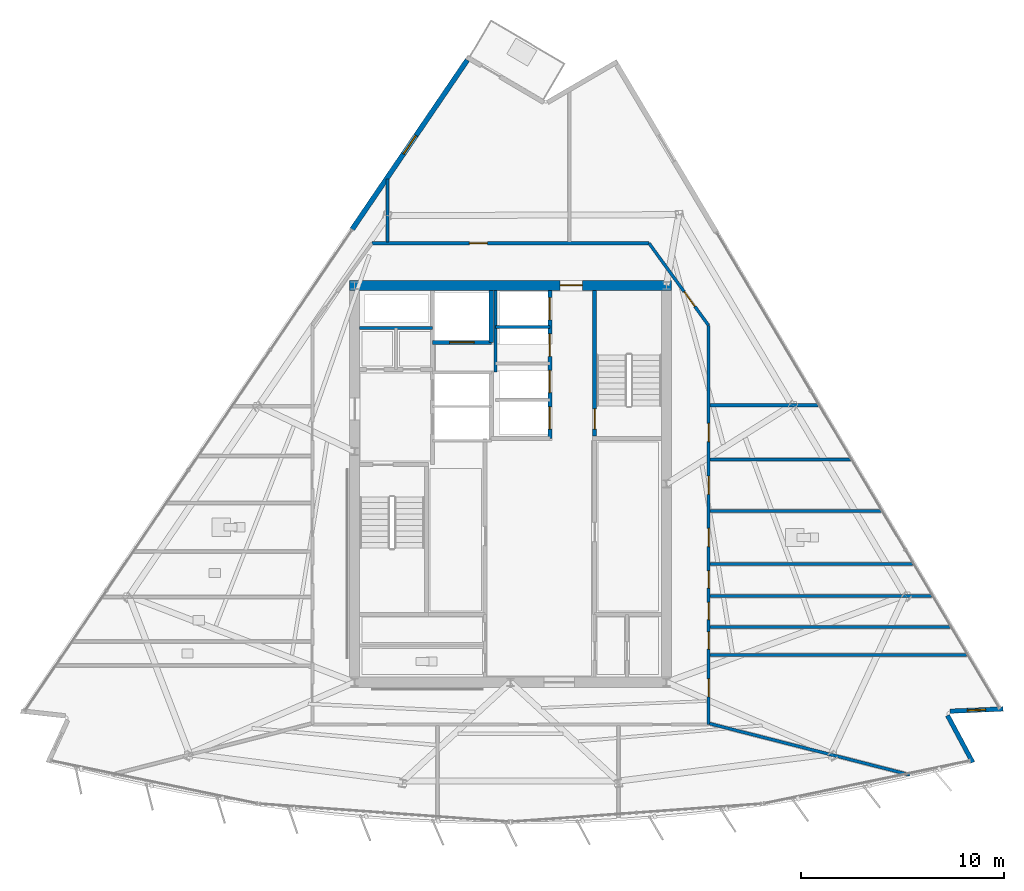
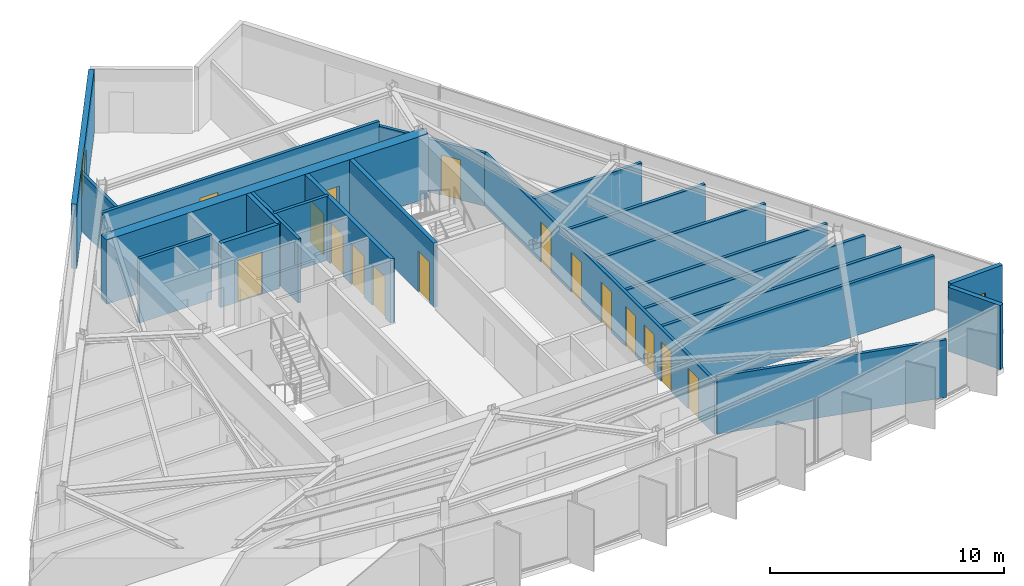
# One storey, part 8 of 13: 23 walls, 16 doors, 2 windows, 18 openings.
"""IFC4 building model written with IfcOpenShell, lengths in metres."""

from ifc_helpers import new_model, si_unit, direction, frame, frame_2d, origin, place, context, subcontext, project, spatial, rectangle, extrude, material, layer, layer_set, type_object, element, fill, save


model = new_model("IFC4")

# Units and contexts
model_context = context("Model", 3, precision=1e-05, world=origin(), true_north=direction((0.0, 1.0)))
body_context = subcontext(model_context, "Body", "Model", "MODEL_VIEW")
ifc_project = project(units=[si_unit("LENGTHUNIT", "METRE"), si_unit("AREAUNIT", "SQUARE_METRE"), si_unit("VOLUMEUNIT", "CUBIC_METRE"), si_unit("PLANEANGLEUNIT", "RADIAN"), si_unit("MASSUNIT", "GRAM", prefix="KILO")], contexts=[model_context])

# Site, building, storey
site_placement = place(None, origin())
site = spatial("IfcSite", under=ifc_project, at=site_placement, CompositionType="ELEMENT")
building_placement = place(site_placement, origin())
building = spatial("IfcBuilding", under=site, at=building_placement, Name="Savorim Split Tower", CompositionType="ELEMENT")
storey_placement = place(building_placement, frame((0.0, 0.0, 250.800048828125)))
storey = spatial("IfcBuildingStorey", under=building, at=storey_placement, Name="L66", CompositionType="ELEMENT", Elevation=250.800048828125)

# Wall, opening, door
ifc_material_1 = material(Name="Concrete C60/75", Category="concrete")
ifc_layer_1 = layer(ifc_material_1, 0.5)
ifc_layer_set_1 = layer_set([ifc_layer_1], Name="WAL-COR-SH500")
wall_type_1 = type_object("IfcWallType", Name="WAL-COR-SH500", PredefinedType="SHEAR", material=ifc_layer_set_1)
wall_1_placement = place(storey_placement, frame((7.949951171875, 10.199951171875, 0.0), z_axis=(0.0, 0.0, 1.0), x_axis=(-1.0, 0.0, 0.0)))
wall_1 = element("IfcWall", 1, at=wall_1_placement, inside=storey, type_object=wall_type_1, Name="L66 Offset Core North Shear Wall", PredefinedType="SHEAR", context=body_context, shape_type="SweptSolid", body=[
    extrude(rectangle(XDim=15.89990234375, YDim=0.5, at=frame_2d((7.949951171875, 0.0))), origin(), (0.0, 0.0, 1.0), 3.349853515625),
])
opening_1_placement = place(wall_1_placement, frame((4.39990234375, 0.0, 0.0)))
opening_1 = element("IfcOpeningElement", 2, at=opening_1_placement, cuts=wall_1, Name="Opening DI-03", PredefinedType="OPENING", context=body_context, shape_type="SweptSolid", body=[
    extrude(rectangle(XDim=1.10009765625, YDim=2.14990234375, at=frame_2d((0.550048828125, 1.074951171875))), frame((0.0, 0.260009765625, 0.0), z_axis=(0.0, -1.0, 0.0), x_axis=(1.0, 0.0, 0.0)), (0.0, 0.0, 1.0), 0.52001953125),
])
ifc_material_2 = material(Name="Timber Fire Door Leaf", Category="wood")
door_type_1 = type_object("IfcDoorType", Name="DOR-FIR-1100", OperationType="NOTDEFINED", PredefinedType="DOOR", material=ifc_material_2)
door_1_placement = place(opening_1_placement, origin())
door_1 = element("IfcDoor", 3, at=door_1_placement, inside=storey, type_object=door_type_1, Name="DOR-L66-COR-NLOB - L66 North Corridor Lobby Fire Door", OperationType="SINGLE_SWING_LEFT", OverallHeight=2.14990234375, OverallWidth=1.10009765625, PredefinedType="DOOR", context=body_context, shape_type="SweptSolid", body=[
    extrude(rectangle(XDim=1.10009765625, YDim=2.14990234375, at=frame_2d((0.550048828125, 1.074951171875))), frame((0.0, 0.02490234375, 0.0), z_axis=(0.0, -1.0, 0.0), x_axis=(1.0, 0.0, 0.0)), (0.0, 0.0, 1.0), 0.050048828125),
])
fill(opening_1, door_1)

# Wall
ifc_material_3 = material(Name="Precast concrete C40/50", Category="concrete")
ifc_layer_2 = layer(ifc_material_3, 0.219970703125)
ifc_layer_set_2 = layer_set([ifc_layer_2], Name="WAL-EXT-CRN220")
wall_type_2 = type_object("IfcWallType", Name="WAL-EXT-CRN220", PredefinedType="SOLIDWALL", material=ifc_layer_set_2)
wall_2_placement = place(storey_placement, frame((21.58056640625, -11.03955078125, 0.0), z_axis=(0.0, 0.0, 1.0), x_axis=(0.472791303324, -0.881174434208, 0.0)))
element("IfcWall", 4, at=wall_2_placement, inside=storey, type_object=wall_type_2, Name="L66 Notched Corner Facade Wall SE1", PredefinedType="SOLIDWALL", context=body_context, shape_type="SweptSolid", body=[
    extrude(rectangle(XDim=2.626953125, YDim=0.219970703125, at=frame_2d((1.3134765625, 0.0))), origin(), (0.0, 0.0, 1.0), 3.349853515625),
])

# Wall, opening, window
wall_3_placement = place(storey_placement, frame((24.32421875, -10.71435546875, 0.0), z_axis=(0.0, 0.0, 1.0), x_axis=(-0.999095924753, -0.042512740932, 0.0)))
wall_3 = element("IfcWall", 5, at=wall_3_placement, inside=storey, type_object=wall_type_2, Name="L66 Notched Corner Facade Wall SE", PredefinedType="SOLIDWALL", context=body_context, shape_type="SweptSolid", body=[
    extrude(rectangle(XDim=2.62451171875, YDim=0.219970703125, at=frame_2d((1.312255859375, 0.0))), origin(), (0.0, 0.0, 1.0), 3.349853515625),
])
opening_2_placement = place(wall_3_placement, frame((0.8623046875, 0.0, 0.6201171875)))
opening_2 = element("IfcOpeningElement", 6, at=opening_2_placement, cuts=wall_3, Name="Opening WN-10", PredefinedType="OPENING", context=body_context, shape_type="SweptSolid", body=[
    extrude(rectangle(XDim=0.89990234375, YDim=1.60009765625, at=frame_2d((0.449951171875, 0.800048828125))), frame((0.0, 0.119873046875, 0.0), z_axis=(0.0, -1.0, 0.0), x_axis=(1.0, 0.0, 0.0)), (0.0, 0.0, 1.0), 0.239990234375),
])
ifc_material_4 = material(Name="Low-E Operable Double Glazing", Category="glass")
window_type_1 = type_object("IfcWindowType", Name="WIN-TWR-900x1600", PartitioningType="SINGLE_PANEL", PredefinedType="WINDOW", material=ifc_material_4)
window_1_placement = place(opening_2_placement, origin())
window_1 = element("IfcWindow", 7, at=window_1_placement, inside=storey, type_object=window_type_1, Name="L66 Operable Corner Window SE", OverallHeight=1.60009765625, OverallWidth=0.89990234375, PartitioningType="SINGLE_PANEL", PredefinedType="WINDOW", context=body_context, shape_type="SweptSolid", body=[
    extrude(rectangle(XDim=0.89990234375, YDim=1.60009765625, at=frame_2d((0.449951171875, 0.800048828125))), frame((0.0, 0.030029296875, 0.0), z_axis=(0.0, -1.0, 0.0), x_axis=(1.0, 0.0, 0.0)), (0.0, 0.0, 1.0), 0.06005859375),
])
fill(opening_2, window_1)

ifc_layer_3 = layer(ifc_material_3, 0.25)
ifc_layer_set_3 = layer_set([ifc_layer_3], Name="WAL-EXT-SPN250")
wall_type_3 = type_object("IfcWallType", Name="WAL-EXT-SPN250", PredefinedType="SOLIDWALL", material=ifc_layer_set_3)
wall_4_placement = place(storey_placement, frame((-7.81689453125, 12.970947265625, 0.0), z_axis=(0.0, 0.0, 1.0), x_axis=(0.562474530687, 0.826814611826, 0.0)))
wall_4 = element("IfcWall", 8, at=wall_4_placement, inside=storey, type_object=wall_type_3, Name="L66 West Operable Window Pier", PredefinedType="SOLIDWALL", context=body_context, shape_type="SweptSolid", body=[
    extrude(rectangle(XDim=10.106689453125, YDim=0.25, at=frame_2d((5.05322265625, 0.0))), origin(), (0.0, 0.0, 1.0), 3.349853515625),
])
opening_3_placement = place(wall_4_placement, frame((4.50341796875, 0.0, 0.6201171875)))
opening_3 = element("IfcOpeningElement", 9, at=opening_3_placement, cuts=wall_4, Name="Opening WN-09", PredefinedType="OPENING", context=body_context, shape_type="SweptSolid", body=[
    extrude(rectangle(XDim=1.10009765625, YDim=1.800048828125, at=frame_2d((0.550048828125, 0.89990234375))), frame((0.0, 0.135009765625, 0.0), z_axis=(0.0, -1.0, 0.0), x_axis=(1.0, 0.0, 0.0)), (0.0, 0.0, 1.0), 0.27001953125),
])
window_type_2 = type_object("IfcWindowType", Name="WIN-TWR-1100x1800", PartitioningType="SINGLE_PANEL", PredefinedType="WINDOW", material=ifc_material_4)
window_2_placement = place(opening_3_placement, origin())
window_2 = element("IfcWindow", 10, at=window_2_placement, inside=storey, type_object=window_type_2, Name="L66 West Operable Ventilation Window", OverallHeight=1.800048828125, OverallWidth=1.10009765625, PartitioningType="SINGLE_PANEL", PredefinedType="WINDOW", context=body_context, shape_type="SweptSolid", body=[
    extrude(rectangle(XDim=1.10009765625, YDim=1.800048828125, at=frame_2d((0.550048828125, 0.89990234375))), frame((0.0, 0.030029296875, 0.0), z_axis=(0.0, -1.0, 0.0), x_axis=(1.0, 0.0, 0.0)), (0.0, 0.0, 1.0), 0.06005859375),
])
fill(opening_3, window_2)

# Wall, opening, door
ifc_material_5 = material(Name="Concrete C50/60", Category="concrete")
ifc_layer_4 = layer(ifc_material_5, 0.199951171875)
ifc_layer_set_4 = layer_set([ifc_layer_4], Name="WAL-INT-RC200")
wall_type_4 = type_object("IfcWallType", Name="WAL-INT-RC200", PredefinedType="SOLIDWALL", material=ifc_layer_set_4)
wall_5_placement = place(storey_placement, frame((4.14990234375, 2.75, 0.0), z_axis=(0.0, 0.0, 1.0), x_axis=(0.0, 1.0, 0.0)))
wall_5 = element("IfcWall", 11, at=wall_5_placement, inside=storey, type_object=wall_type_4, Name="L66 Structural Shaft Wall W-L66-CR07", PredefinedType="SOLIDWALL", context=body_context, shape_type="SweptSolid", body=[
    extrude(rectangle(XDim=7.199951171875, YDim=0.199951171875, at=frame_2d((3.60009765625, 0.0))), origin(), (0.0, 0.0, 1.0), 3.349853515625),
])
opening_4_placement = place(wall_5_placement, frame((0.35009765625, 0.0, 0.0)))
opening_4 = element("IfcOpeningElement", 12, at=opening_4_placement, cuts=wall_5, Name="Opening DI-04", PredefinedType="OPENING", context=body_context, shape_type="SweptSolid", body=[
    extrude(rectangle(XDim=1.0, YDim=2.14990234375, at=frame_2d((0.5, 1.074951171875))), frame((0.0, 0.10986328125, 0.0), z_axis=(0.0, -1.0, 0.0), x_axis=(1.0, 0.0, 0.0)), (0.0, 0.0, 1.0), 0.219970703125),
])
door_type_2 = type_object("IfcDoorType", Name="DOR-FIR-1000", OperationType="NOTDEFINED", PredefinedType="DOOR", material=ifc_material_2)
door_2_placement = place(opening_4_placement, origin())
door_2 = element("IfcDoor", 13, at=door_2_placement, inside=storey, type_object=door_type_2, Name="DR-L66-ST2 - L66 Stair ST-2 Enclosure Door", OperationType="SINGLE_SWING_RIGHT", OverallHeight=2.14990234375, OverallWidth=1.0, PredefinedType="DOOR", context=body_context, shape_type="SweptSolid", body=[
    extrude(rectangle(XDim=1.0, YDim=2.14990234375, at=frame_2d((0.5, 1.074951171875))), frame((0.0, 0.02490234375, 0.0), z_axis=(0.0, -1.0, 0.0), x_axis=(1.0, 0.0, 0.0)), (0.0, 0.0, 1.0), 0.050048828125),
])
fill(opening_4, door_2)

wall_6_placement = place(storey_placement, frame((-3.85009765625, 7.3798828125, 0.0), z_axis=(0.0, 0.0, 1.0), x_axis=(1.0, 0.0, 0.0)))
wall_6 = element("IfcWall", 14, at=wall_6_placement, inside=storey, type_object=wall_type_4, Name="L66 Partition W-L66-SVLS", PredefinedType="SOLIDWALL", context=body_context, shape_type="SweptSolid", body=[
    extrude(rectangle(XDim=2.900146484375, YDim=0.199951171875, at=frame_2d((1.4501953125, 0.0))), origin(), (0.0, 0.0, 1.0), 3.349853515625),
])
opening_5_placement = place(wall_6_placement, frame((0.85009765625, 0.0, 0.0)))
opening_5 = element("IfcOpeningElement", 15, at=opening_5_placement, cuts=wall_6, Name="Opening LD-SV", PredefinedType="OPENING", context=body_context, shape_type="SweptSolid", body=[
    extrude(rectangle(XDim=1.199951171875, YDim=2.199951171875, at=frame_2d((0.60009765625, 1.10009765625))), frame((0.0, 0.10986328125, 0.0), z_axis=(0.0, -1.0, 0.0), x_axis=(1.0, 0.0, 0.0)), (0.0, 0.0, 1.0), 0.219970703125),
])
ifc_material_6 = material(Name="Charcoal Anodised Aluminium", Category="aluminium")
door_type_3 = type_object("IfcDoorType", Name="DOR-SLD-SV1200", OperationType="NOTDEFINED", PredefinedType="DOOR", material=ifc_material_6)
door_3_placement = place(opening_5_placement, origin())
door_3 = element("IfcDoor", 16, at=door_3_placement, inside=storey, type_object=door_type_3, Name="DR-L66-LD-SVL1 - L66 Service Lift SVL-1 Sliding Landing Door", OperationType="DOUBLE_DOOR_SLIDING", OverallHeight=2.199951171875, OverallWidth=1.199951171875, PredefinedType="DOOR", context=body_context, shape_type="SweptSolid", body=[
    extrude(rectangle(XDim=1.199951171875, YDim=2.199951171875, at=frame_2d((0.60009765625, 1.10009765625))), frame((0.0, 0.02490234375, 0.0), z_axis=(0.0, -1.0, 0.0), x_axis=(1.0, 0.0, 0.0)), (0.0, 0.0, 1.0), 0.050048828125),
])
fill(opening_5, door_3)

# Wall
wall_7_placement = place(storey_placement, frame((-0.949951171875, 7.3798828125, 0.0), z_axis=(0.0, 0.0, 1.0), x_axis=(0.0, 1.0, 0.0)))
element("IfcWall", 17, at=wall_7_placement, inside=storey, type_object=wall_type_4, Name="L66 Partition W-L66-SVLE", PredefinedType="SOLIDWALL", context=body_context, shape_type="SweptSolid", body=[
    extrude(rectangle(XDim=2.565185546875, YDim=0.199951171875, at=frame_2d((1.28271484375, 0.0))), origin(), (0.0, 0.0, 1.0), 3.349853515625),
])

# Wall, openings, doors
wall_8_placement = place(storey_placement, frame((1.949951171875, 2.64990234375, 0.0), z_axis=(0.0, 0.0, 1.0), x_axis=(0.0, 1.0, 0.0)))
wall_8 = element("IfcWall", 18, at=wall_8_placement, inside=storey, type_object=wall_type_4, Name="L66 Partition W-L66-B3FRONT", PredefinedType="SOLIDWALL", context=body_context, shape_type="SweptSolid", body=[
    extrude(rectangle(XDim=7.295166015625, YDim=0.199951171875, at=frame_2d((3.6474609375, 0.0))), origin(), (0.0, 0.0, 1.0), 3.349853515625),
])
opening_6_placement = place(wall_8_placement, frame((0.449951171875, 0.0, 0.0)))
opening_6 = element("IfcOpeningElement", 19, at=opening_6_placement, cuts=wall_8, Name="Opening LD-03", PredefinedType="OPENING", context=body_context, shape_type="SweptSolid", body=[
    extrude(rectangle(XDim=1.10009765625, YDim=2.14990234375, at=frame_2d((0.550048828125, 1.074951171875))), frame((0.0, 0.10986328125, 0.0), z_axis=(0.0, -1.0, 0.0), x_axis=(1.0, 0.0, 0.0)), (0.0, 0.0, 1.0), 0.219970703125),
])
opening_7_placement = place(wall_8_placement, frame((2.25, 0.0, 0.0)))
opening_7 = element("IfcOpeningElement", 20, at=opening_7_placement, cuts=wall_8, Name="Opening LD-03", PredefinedType="OPENING", context=body_context, shape_type="SweptSolid", body=[
    extrude(rectangle(XDim=1.10009765625, YDim=2.14990234375, at=frame_2d((0.550048828125, 1.074951171875))), frame((0.0, 0.10986328125, 0.0), z_axis=(0.0, -1.0, 0.0), x_axis=(1.0, 0.0, 0.0)), (0.0, 0.0, 1.0), 0.219970703125),
])
opening_8_placement = place(wall_8_placement, frame((4.050048828125, 0.0, 0.0)))
opening_8 = element("IfcOpeningElement", 21, at=opening_8_placement, cuts=wall_8, Name="Opening LD-03", PredefinedType="OPENING", context=body_context, shape_type="SweptSolid", body=[
    extrude(rectangle(XDim=1.10009765625, YDim=2.14990234375, at=frame_2d((0.550048828125, 1.074951171875))), frame((0.0, 0.10986328125, 0.0), z_axis=(0.0, -1.0, 0.0), x_axis=(1.0, 0.0, 0.0)), (0.0, 0.0, 1.0), 0.219970703125),
])
opening_9_placement = place(wall_8_placement, frame((5.85009765625, 0.0, 0.0)))
opening_9 = element("IfcOpeningElement", 22, at=opening_9_placement, cuts=wall_8, Name="Opening LD-03", PredefinedType="OPENING", context=body_context, shape_type="SweptSolid", body=[
    extrude(rectangle(XDim=1.10009765625, YDim=2.14990234375, at=frame_2d((0.550048828125, 1.074951171875))), frame((0.0, 0.10986328125, 0.0), z_axis=(0.0, -1.0, 0.0), x_axis=(1.0, 0.0, 0.0)), (0.0, 0.0, 1.0), 0.219970703125),
])
door_type_4 = type_object("IfcDoorType", Name="DOR-SLD-LDH1100", OperationType="NOTDEFINED", PredefinedType="DOOR", material=ifc_material_6)
door_4_placement = place(opening_6_placement, origin())
door_4 = element("IfcDoor", 23, at=door_4_placement, inside=storey, type_object=door_type_4, Name="DR-L66-LD-PLH1 - L66 Lift PL-H1 Sliding Landing Door", OperationType="DOUBLE_DOOR_SLIDING", OverallHeight=2.14990234375, OverallWidth=1.10009765625, PredefinedType="DOOR", context=body_context, shape_type="SweptSolid", body=[
    extrude(rectangle(XDim=1.10009765625, YDim=2.14990234375, at=frame_2d((0.550048828125, 1.074951171875))), frame((0.0, 0.02490234375, 0.0), z_axis=(0.0, -1.0, 0.0), x_axis=(1.0, 0.0, 0.0)), (0.0, 0.0, 1.0), 0.050048828125),
])
fill(opening_6, door_4)
door_5_placement = place(opening_7_placement, origin())
door_5 = element("IfcDoor", 24, at=door_5_placement, inside=storey, type_object=door_type_4, Name="DR-L66-LD-PLH2 - L66 Lift PL-H2 Sliding Landing Door", OperationType="DOUBLE_DOOR_SLIDING", OverallHeight=2.14990234375, OverallWidth=1.10009765625, PredefinedType="DOOR", context=body_context, shape_type="SweptSolid", body=[
    extrude(rectangle(XDim=1.10009765625, YDim=2.14990234375, at=frame_2d((0.550048828125, 1.074951171875))), frame((0.0, 0.02490234375, 0.0), z_axis=(0.0, -1.0, 0.0), x_axis=(1.0, 0.0, 0.0)), (0.0, 0.0, 1.0), 0.050048828125),
])
fill(opening_7, door_5)
door_6_placement = place(opening_8_placement, origin())
door_6 = element("IfcDoor", 25, at=door_6_placement, inside=storey, type_object=door_type_4, Name="DR-L66-LD-PLH3 - L66 Lift PL-H3 Sliding Landing Door", OperationType="DOUBLE_DOOR_SLIDING", OverallHeight=2.14990234375, OverallWidth=1.10009765625, PredefinedType="DOOR", context=body_context, shape_type="SweptSolid", body=[
    extrude(rectangle(XDim=1.10009765625, YDim=2.14990234375, at=frame_2d((0.550048828125, 1.074951171875))), frame((0.0, 0.02490234375, 0.0), z_axis=(0.0, -1.0, 0.0), x_axis=(1.0, 0.0, 0.0)), (0.0, 0.0, 1.0), 0.050048828125),
])
fill(opening_8, door_6)
door_7_placement = place(opening_9_placement, origin())
door_7 = element("IfcDoor", 26, at=door_7_placement, inside=storey, type_object=door_type_4, Name="DR-L66-LD-PLH4 - L66 Lift PL-H4 Sliding Landing Door", OperationType="DOUBLE_DOOR_SLIDING", OverallHeight=2.14990234375, OverallWidth=1.10009765625, PredefinedType="DOOR", context=body_context, shape_type="SweptSolid", body=[
    extrude(rectangle(XDim=1.10009765625, YDim=2.14990234375, at=frame_2d((0.550048828125, 1.074951171875))), frame((0.0, 0.02490234375, 0.0), z_axis=(0.0, -1.0, 0.0), x_axis=(1.0, 0.0, 0.0)), (0.0, 0.0, 1.0), 0.050048828125),
])
fill(opening_9, door_7)

# Walls
ifc_material_7 = material(Name="Acoustic Gypsum Partition Board")
ifc_layer_5 = layer(ifc_material_7, 0.14990234375)
ifc_layer_set_5 = layer_set([ifc_layer_5], Name="WAL-PAR-150")
wall_type_5 = type_object("IfcWallType", Name="WAL-PAR-150", PredefinedType="PARTITIONING", material=ifc_layer_set_5)
wall_9_placement = place(storey_placement, frame((-7.445068359375, 8.10009765625, 0.0), z_axis=(0.0, 0.0, 1.0), x_axis=(1.0, 0.0, 0.0)))
element("IfcWall", 27, at=wall_9_placement, inside=storey, type_object=wall_type_5, Name="L66 Partition W-L66-CR05", PredefinedType="PARTITIONING", context=body_context, shape_type="SweptSolid", body=[
    extrude(rectangle(XDim=3.594970703125, YDim=0.14990234375, at=frame_2d((1.79736328125, 0.0))), origin(), (0.0, 0.0, 1.0), 3.349853515625),
])
wall_10_placement = place(storey_placement, frame((-0.75, 5.919921875, 0.0), z_axis=(0.0, 0.0, 1.0), x_axis=(0.0, 1.0, 0.0)))
element("IfcWall", 28, at=wall_10_placement, inside=storey, type_object=wall_type_5, Name="L66 Partition W-L66-B3WEST", PredefinedType="PARTITIONING", context=body_context, shape_type="SweptSolid", body=[
    extrude(rectangle(XDim=4.025146484375, YDim=0.14990234375, at=frame_2d((2.0126953125, 0.0))), origin(), (0.0, 0.0, 1.0), 3.349853515625),
])
wall_11_placement = place(storey_placement, frame((-0.75, 8.14990234375, 0.0), z_axis=(0.0, 0.0, 1.0), x_axis=(1.0, 0.0, 0.0)))
element("IfcWall", 29, at=wall_11_placement, inside=storey, type_object=wall_type_5, Name="L66 Partition W-L66-B3DIV3", PredefinedType="PARTITIONING", context=body_context, shape_type="SweptSolid", body=[
    extrude(rectangle(XDim=2.699951171875, YDim=0.14990234375, at=frame_2d((1.35009765625, 0.0))), origin(), (0.0, 0.0, 1.0), 3.349853515625),
])

# Wall, opening, door
wall_12_placement = place(storey_placement, frame((-6.8408203125, 12.280029296875, 0.0), z_axis=(0.0, 0.0, 1.0), x_axis=(1.0, 0.0, 0.0)))
wall_12 = element("IfcWall", 30, at=wall_12_placement, inside=storey, type_object=wall_type_5, Name="L66 Partition W-L66-COR-03", PredefinedType="PARTITIONING", context=body_context, shape_type="SweptSolid", body=[
    extrude(rectangle(XDim=13.681640625, YDim=0.14990234375, at=frame_2d((6.8408203125, 0.0))), origin(), (0.0, 0.0, 1.0), 3.014892578125),
])
opening_10_placement = place(wall_12_placement, frame((4.804931640625, 0.0, 0.0)))
opening_10 = element("IfcOpeningElement", 31, at=opening_10_placement, cuts=wall_12, Name="Opening DI-06", PredefinedType="OPENING", context=body_context, shape_type="SweptSolid", body=[
    extrude(rectangle(XDim=0.89990234375, YDim=2.10009765625, at=frame_2d((0.449951171875, 1.050048828125))), frame((0.0, 0.0849609375, 0.0), z_axis=(0.0, -1.0, 0.0), x_axis=(1.0, 0.0, 0.0)), (0.0, 0.0, 1.0), 0.169921875),
])
door_type_5 = type_object("IfcDoorType", Name="DOR-FIR-900", OperationType="NOTDEFINED", PredefinedType="DOOR", material=ifc_material_2)
door_8_placement = place(opening_10_placement, origin())
door_8 = element("IfcDoor", 32, at=door_8_placement, inside=storey, type_object=door_type_5, Name="DR-L66-RM17 - L66 Co-Working Commons Entry Door", OperationType="SINGLE_SWING_RIGHT", OverallHeight=2.10009765625, OverallWidth=0.89990234375, PredefinedType="DOOR", context=body_context, shape_type="SweptSolid", body=[
    extrude(rectangle(XDim=0.89990234375, YDim=2.10009765625, at=frame_2d((0.449951171875, 1.050048828125))), frame((0.0, 0.02490234375, 0.0), z_axis=(0.0, -1.0, 0.0), x_axis=(1.0, 0.0, 0.0)), (0.0, 0.0, 1.0), 0.050048828125),
])
fill(opening_10, door_8)

wall_13_placement = place(storey_placement, frame((6.8408203125, 12.280029296875, 0.0), z_axis=(0.0, 0.0, 1.0), x_axis=(0.586956386413, -0.809618552436, 0.0)))
wall_13 = element("IfcWall", 33, at=wall_13_placement, inside=storey, type_object=wall_type_5, Name="L66 Partition W-L66-COR-04", PredefinedType="PARTITIONING", context=body_context, shape_type="SweptSolid", body=[
    extrude(rectangle(XDim=5.007568359375, YDim=0.14990234375, at=frame_2d((2.50390625, 0.0))), origin(), (0.0, 0.0, 1.0), 2.77490234375),
])
opening_11_placement = place(wall_13_placement, frame((2.95361328125, 0.0, 0.0)))
opening_11 = element("IfcOpeningElement", 34, at=opening_11_placement, cuts=wall_13, Name="Opening DI-06", PredefinedType="OPENING", context=body_context, shape_type="SweptSolid", body=[
    extrude(rectangle(XDim=0.89990234375, YDim=2.10009765625, at=frame_2d((0.449951171875, 1.050048828125))), frame((0.0, 0.0849609375, 0.0), z_axis=(0.0, -1.0, 0.0), x_axis=(1.0, 0.0, 0.0)), (0.0, 0.0, 1.0), 0.169921875),
])
door_9_placement = place(opening_11_placement, origin())
door_9 = element("IfcDoor", 35, at=door_9_placement, inside=storey, type_object=door_type_5, Name="DR-L66-RM16 - L66 Maker Workshop Entry Door", OperationType="SINGLE_SWING_LEFT", OverallHeight=2.10009765625, OverallWidth=0.89990234375, PredefinedType="DOOR", context=body_context, shape_type="SweptSolid", body=[
    extrude(rectangle(XDim=0.89990234375, YDim=2.10009765625, at=frame_2d((0.449951171875, 1.050048828125))), frame((0.0, 0.02490234375, 0.0), z_axis=(0.0, -1.0, 0.0), x_axis=(1.0, 0.0, 0.0)), (0.0, 0.0, 1.0), 0.050048828125),
])
fill(opening_11, door_9)

# Wall, openings, doors
wall_14_placement = place(storey_placement, frame((9.780029296875, 8.225830078125, 0.0), z_axis=(0.0, 0.0, 1.0), x_axis=(0.0, -1.0, 0.0)))
wall_14 = element("IfcWall", 36, at=wall_14_placement, inside=storey, type_object=wall_type_5, Name="L66 Partition W-L66-COR-05", PredefinedType="PARTITIONING", context=body_context, shape_type="SweptSolid", body=[
    extrude(rectangle(XDim=19.705810546875, YDim=0.14990234375, at=frame_2d((9.85302734375, 0.0))), origin(), (0.0, 0.0, 1.0), 2.77490234375),
])
opening_12_placement = place(wall_14_placement, frame((17.450927734375, 0.0, 0.0)))
opening_12 = element("IfcOpeningElement", 37, at=opening_12_placement, cuts=wall_14, Name="Opening DI-06", PredefinedType="OPENING", context=body_context, shape_type="SweptSolid", body=[
    extrude(rectangle(XDim=0.89990234375, YDim=2.10009765625, at=frame_2d((0.449951171875, 1.050048828125))), frame((0.0, 0.0849609375, 0.0), z_axis=(0.0, -1.0, 0.0), x_axis=(1.0, 0.0, 0.0)), (0.0, 0.0, 1.0), 0.169921875),
])
opening_13_placement = place(wall_14_placement, frame((15.132568359375, 0.0, 0.0)))
opening_13 = element("IfcOpeningElement", 38, at=opening_13_placement, cuts=wall_14, Name="Opening DI-13", PredefinedType="OPENING", context=body_context, shape_type="SweptSolid", body=[
    extrude(rectangle(XDim=0.85009765625, YDim=2.10009765625, at=frame_2d((0.425048828125, 1.050048828125))), frame((0.0, 0.0849609375, 0.0), z_axis=(0.0, -1.0, 0.0), x_axis=(1.0, 0.0, 0.0)), (0.0, 0.0, 1.0), 0.169921875),
])
opening_14_placement = place(wall_14_placement, frame((13.67578125, 0.0, 0.0)))
opening_14 = element("IfcOpeningElement", 39, at=opening_14_placement, cuts=wall_14, Name="Opening DI-13", PredefinedType="OPENING", context=body_context, shape_type="SweptSolid", body=[
    extrude(rectangle(XDim=0.85009765625, YDim=2.10009765625, at=frame_2d((0.425048828125, 1.050048828125))), frame((0.0, 0.0849609375, 0.0), z_axis=(0.0, -1.0, 0.0), x_axis=(1.0, 0.0, 0.0)), (0.0, 0.0, 1.0), 0.169921875),
])
opening_15_placement = place(wall_14_placement, frame((12.119384765625, 0.0, 0.0)))
opening_15 = element("IfcOpeningElement", 40, at=opening_15_placement, cuts=wall_14, Name="Opening DI-13", PredefinedType="OPENING", context=body_context, shape_type="SweptSolid", body=[
    extrude(rectangle(XDim=0.85009765625, YDim=2.10009765625, at=frame_2d((0.425048828125, 1.050048828125))), frame((0.0, 0.0849609375, 0.0), z_axis=(0.0, -1.0, 0.0), x_axis=(1.0, 0.0, 0.0)), (0.0, 0.0, 1.0), 0.169921875),
])
opening_16_placement = place(wall_14_placement, frame((10.0224609375, 0.0, 0.0)))
opening_16 = element("IfcOpeningElement", 41, at=opening_16_placement, cuts=wall_14, Name="Opening DI-11", PredefinedType="OPENING", context=body_context, shape_type="SweptSolid", body=[
    extrude(rectangle(XDim=0.89990234375, YDim=2.10009765625, at=frame_2d((0.449951171875, 1.050048828125))), frame((0.0, 0.0849609375, 0.0), z_axis=(0.0, -1.0, 0.0), x_axis=(1.0, 0.0, 0.0)), (0.0, 0.0, 1.0), 0.169921875),
])
opening_17_placement = place(wall_14_placement, frame((7.447998046875, 0.0, 0.0)))
opening_17 = element("IfcOpeningElement", 42, at=opening_17_placement, cuts=wall_14, Name="Opening DI-06", PredefinedType="OPENING", context=body_context, shape_type="SweptSolid", body=[
    extrude(rectangle(XDim=0.89990234375, YDim=2.10009765625, at=frame_2d((0.449951171875, 1.050048828125))), frame((0.0, 0.0849609375, 0.0), z_axis=(0.0, -1.0, 0.0), x_axis=(1.0, 0.0, 0.0)), (0.0, 0.0, 1.0), 0.169921875),
])
opening_18_placement = place(wall_14_placement, frame((4.837158203125, 0.0, 0.0)))
opening_18 = element("IfcOpeningElement", 43, at=opening_18_placement, cuts=wall_14, Name="Opening DI-06", PredefinedType="OPENING", context=body_context, shape_type="SweptSolid", body=[
    extrude(rectangle(XDim=0.89990234375, YDim=2.10009765625, at=frame_2d((0.449951171875, 1.050048828125))), frame((0.0, 0.0849609375, 0.0), z_axis=(0.0, -1.0, 0.0), x_axis=(1.0, 0.0, 0.0)), (0.0, 0.0, 1.0), 0.169921875),
])
door_type_6 = type_object("IfcDoorType", Name="DOR-FIR-850", OperationType="NOTDEFINED", PredefinedType="DOOR", material=ifc_material_2)
door_10_placement = place(opening_13_placement, origin())
door_10 = element("IfcDoor", 44, at=door_10_placement, inside=storey, type_object=door_type_6, Name="DR-L66-RM10 - L66 Co-Living Bedroom Entry Door", OperationType="SINGLE_SWING_LEFT", OverallHeight=2.10009765625, OverallWidth=0.85009765625, PredefinedType="DOOR", context=body_context, shape_type="SweptSolid", body=[
    extrude(rectangle(XDim=0.85009765625, YDim=2.10009765625, at=frame_2d((0.425048828125, 1.050048828125))), frame((0.0, 0.02490234375, 0.0), z_axis=(0.0, -1.0, 0.0), x_axis=(1.0, 0.0, 0.0)), (0.0, 0.0, 1.0), 0.050048828125),
])
fill(opening_13, door_10)
door_11_placement = place(opening_14_placement, origin())
door_11 = element("IfcDoor", 45, at=door_11_placement, inside=storey, type_object=door_type_6, Name="DR-L66-RM11 - L66 Quiet Study Room Entry Door", OperationType="SINGLE_SWING_RIGHT", OverallHeight=2.10009765625, OverallWidth=0.85009765625, PredefinedType="DOOR", context=body_context, shape_type="SweptSolid", body=[
    extrude(rectangle(XDim=0.85009765625, YDim=2.10009765625, at=frame_2d((0.425048828125, 1.050048828125))), frame((0.0, 0.02490234375, 0.0), z_axis=(0.0, -1.0, 0.0), x_axis=(1.0, 0.0, 0.0)), (0.0, 0.0, 1.0), 0.050048828125),
])
fill(opening_14, door_11)
door_12_placement = place(opening_15_placement, origin())
door_12 = element("IfcDoor", 46, at=door_12_placement, inside=storey, type_object=door_type_6, Name="DR-L66-RM12 - L66 Quiet Study Room Entry Door", OperationType="SINGLE_SWING_LEFT", OverallHeight=2.10009765625, OverallWidth=0.85009765625, PredefinedType="DOOR", context=body_context, shape_type="SweptSolid", body=[
    extrude(rectangle(XDim=0.85009765625, YDim=2.10009765625, at=frame_2d((0.425048828125, 1.050048828125))), frame((0.0, 0.02490234375, 0.0), z_axis=(0.0, -1.0, 0.0), x_axis=(1.0, 0.0, 0.0)), (0.0, 0.0, 1.0), 0.050048828125),
])
fill(opening_15, door_12)
door_13_placement = place(opening_12_placement, origin())
door_13 = element("IfcDoor", 47, at=door_13_placement, inside=storey, type_object=door_type_5, Name="DR-L66-RM09 - L66 Co-Working Commons Entry Door", OperationType="SINGLE_SWING_RIGHT", OverallHeight=2.10009765625, OverallWidth=0.89990234375, PredefinedType="DOOR", context=body_context, shape_type="SweptSolid", body=[
    extrude(rectangle(XDim=0.89990234375, YDim=2.10009765625, at=frame_2d((0.449951171875, 1.050048828125))), frame((0.0, 0.02490234375, 0.0), z_axis=(0.0, -1.0, 0.0), x_axis=(1.0, 0.0, 0.0)), (0.0, 0.0, 1.0), 0.050048828125),
])
fill(opening_12, door_13)
door_14_placement = place(opening_17_placement, origin())
door_14 = element("IfcDoor", 48, at=door_14_placement, inside=storey, type_object=door_type_5, Name="DR-L66-RM14 - L66 Co-Living Bedroom Entry Door", OperationType="SINGLE_SWING_LEFT", OverallHeight=2.10009765625, OverallWidth=0.89990234375, PredefinedType="DOOR", context=body_context, shape_type="SweptSolid", body=[
    extrude(rectangle(XDim=0.89990234375, YDim=2.10009765625, at=frame_2d((0.449951171875, 1.050048828125))), frame((0.0, 0.02490234375, 0.0), z_axis=(0.0, -1.0, 0.0), x_axis=(1.0, 0.0, 0.0)), (0.0, 0.0, 1.0), 0.050048828125),
])
fill(opening_17, door_14)
door_15_placement = place(opening_18_placement, origin())
door_15 = element("IfcDoor", 49, at=door_15_placement, inside=storey, type_object=door_type_5, Name="DR-L66-RM15 - L66 Quiet Study Room Entry Door", OperationType="SINGLE_SWING_RIGHT", OverallHeight=2.10009765625, OverallWidth=0.89990234375, PredefinedType="DOOR", context=body_context, shape_type="SweptSolid", body=[
    extrude(rectangle(XDim=0.89990234375, YDim=2.10009765625, at=frame_2d((0.449951171875, 1.050048828125))), frame((0.0, 0.02490234375, 0.0), z_axis=(0.0, -1.0, 0.0), x_axis=(1.0, 0.0, 0.0)), (0.0, 0.0, 1.0), 0.050048828125),
])
fill(opening_18, door_15)
ifc_material_8 = material(Name="Oak Veneer Acoustic Door")
door_type_7 = type_object("IfcDoorType", Name="DOR-WC-900", OperationType="NOTDEFINED", PredefinedType="DOOR", material=ifc_material_8)
door_16_placement = place(opening_16_placement, origin())
door_16 = element("IfcDoor", 50, at=door_16_placement, inside=storey, type_object=door_type_7, Name="DR-L66-RM13 - L66 Shared Bathroom Entry Door", OperationType="SINGLE_SWING_RIGHT", OverallHeight=2.10009765625, OverallWidth=0.89990234375, PredefinedType="DOOR", context=body_context, shape_type="SweptSolid", body=[
    extrude(rectangle(XDim=0.89990234375, YDim=2.10009765625, at=frame_2d((0.449951171875, 1.050048828125))), frame((0.0, 0.02490234375, 0.0), z_axis=(0.0, -1.0, 0.0), x_axis=(1.0, 0.0, 0.0)), (0.0, 0.0, 1.0), 0.050048828125),
])
fill(opening_16, door_16)

# Walls
wall_15_placement = place(storey_placement, frame((9.83349609375, -11.440673828125, 0.0), z_axis=(0.0, 0.0, 1.0), x_axis=(0.968857431137, -0.247619220033, 0.0)))
element("IfcWall", 51, at=wall_15_placement, inside=storey, type_object=wall_type_5, Name="L66 Partition W-L66-PRAD04", PredefinedType="PARTITIONING", context=body_context, shape_type="SweptSolid", body=[
    extrude(rectangle(XDim=10.20849609375, YDim=0.14990234375, at=frame_2d((5.104248046875, 0.0))), origin(), (0.0, 0.0, 1.0), 3.014892578125),
])
wall_16_placement = place(storey_placement, frame((9.840087890625, -5.134765625, 0.0), z_axis=(0.0, 0.0, 1.0), x_axis=(1.0, 0.0, 0.0)))
element("IfcWall", 52, at=wall_16_placement, inside=storey, type_object=wall_type_5, Name="L66 Partition W-L66-PRAD05", PredefinedType="PARTITIONING", context=body_context, shape_type="SweptSolid", body=[
    extrude(rectangle(XDim=10.943359375, YDim=0.14990234375, at=frame_2d((5.4716796875, 0.0))), origin(), (0.0, 0.0, 1.0), 2.724853515625),
])
wall_17_placement = place(storey_placement, frame((9.840087890625, 4.281005859375, 0.0), z_axis=(0.0, 0.0, 1.0), x_axis=(1.0, 0.0, 0.0)))
element("IfcWall", 53, at=wall_17_placement, inside=storey, type_object=wall_type_5, Name="L66 Partition W-L66-PRAD06", PredefinedType="PARTITIONING", context=body_context, shape_type="SweptSolid", body=[
    extrude(rectangle(XDim=5.3447265625, YDim=0.14990234375, at=frame_2d((2.67236328125, 0.0))), origin(), (0.0, 0.0, 1.0), 2.77490234375),
])
wall_18_placement = place(storey_placement, frame((-6.074462890625, 12.340087890625, 0.0), z_axis=(0.0, 0.0, 1.0), x_axis=(0.0, 1.0, 0.0)))
element("IfcWall", 54, at=wall_18_placement, inside=storey, type_object=wall_type_5, Name="L66 Partition W-L66-PRAD08", PredefinedType="PARTITIONING", context=body_context, shape_type="SweptSolid", body=[
    extrude(rectangle(XDim=3.103271484375, YDim=0.14990234375, at=frame_2d((1.5517578125, 0.0))), origin(), (0.0, 0.0, 1.0), 3.014892578125),
])
wall_19_placement = place(storey_placement, frame((9.840087890625, -8.048583984375, 0.0), z_axis=(0.0, 0.0, 1.0), x_axis=(1.0, 0.0, 0.0)))
element("IfcWall", 55, at=wall_19_placement, inside=storey, type_object=wall_type_5, Name="L66 Partition W-L66-SUB03", PredefinedType="PARTITIONING", context=body_context, shape_type="SweptSolid", body=[
    extrude(rectangle(XDim=12.676025390625, YDim=0.14990234375, at=frame_2d((6.337890625, 0.0))), origin(), (0.0, 0.0, 1.0), 2.824951171875),
])
wall_20_placement = place(storey_placement, frame((9.840087890625, -0.94091796875, 0.0), z_axis=(0.0, 0.0, 1.0), x_axis=(1.0, 0.0, 0.0)))
element("IfcWall", 56, at=wall_20_placement, inside=storey, type_object=wall_type_5, Name="L66 Partition W-L66-SUB04", PredefinedType="PARTITIONING", context=body_context, shape_type="SweptSolid", body=[
    extrude(rectangle(XDim=8.44970703125, YDim=0.14990234375, at=frame_2d((4.224853515625, 0.0))), origin(), (0.0, 0.0, 1.0), 2.724853515625),
])
wall_21_placement = place(storey_placement, frame((9.840087890625, -6.664794921875, 0.0), z_axis=(0.0, 0.0, 1.0), x_axis=(1.0, 0.0, 0.0)))
element("IfcWall", 57, at=wall_21_placement, inside=storey, type_object=wall_type_5, Name="L66 Partition W-L66-SUB08", PredefinedType="PARTITIONING", context=body_context, shape_type="SweptSolid", body=[
    extrude(rectangle(XDim=11.85302734375, YDim=0.14990234375, at=frame_2d((5.926513671875, 0.0))), origin(), (0.0, 0.0, 1.0), 2.724853515625),
])
wall_22_placement = place(storey_placement, frame((9.840087890625, -3.552001953125, 0.0), z_axis=(0.0, 0.0, 1.0), x_axis=(1.0, 0.0, 0.0)))
element("IfcWall", 58, at=wall_22_placement, inside=storey, type_object=wall_type_5, Name="L66 Partition W-L66-SUB09", PredefinedType="PARTITIONING", context=body_context, shape_type="SweptSolid", body=[
    extrude(rectangle(XDim=10.002197265625, YDim=0.14990234375, at=frame_2d((5.0009765625, 0.0))), origin(), (0.0, 0.0, 1.0), 2.724853515625),
])
wall_23_placement = place(storey_placement, frame((9.840087890625, 1.5966796875, 0.0), z_axis=(0.0, 0.0, 1.0), x_axis=(1.0, 0.0, 0.0)))
element("IfcWall", 59, at=wall_23_placement, inside=storey, type_object=wall_type_5, Name="L66 Partition W-L66-SUB10", PredefinedType="PARTITIONING", context=body_context, shape_type="SweptSolid", body=[
    extrude(rectangle(XDim=6.940673828125, YDim=0.14990234375, at=frame_2d((3.47021484375, 0.0))), origin(), (0.0, 0.0, 1.0), 2.724853515625),
])

save(model, "model.ifc")
